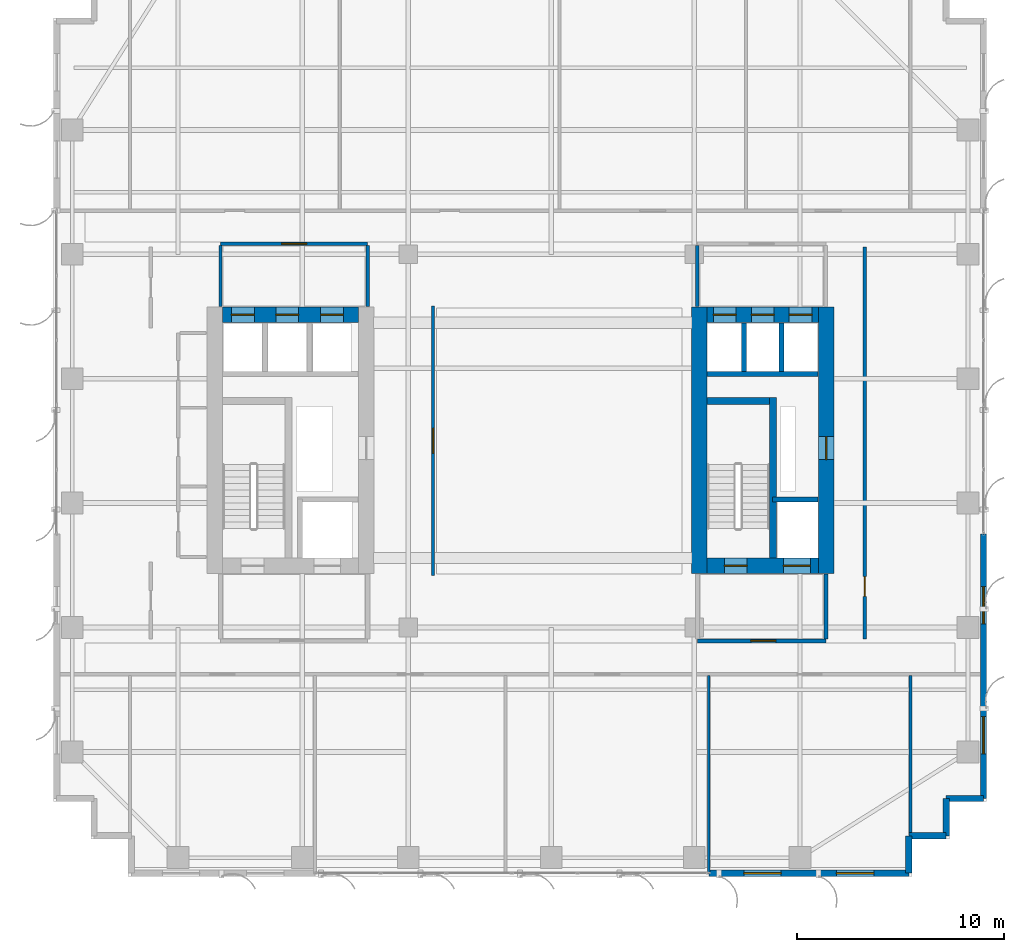
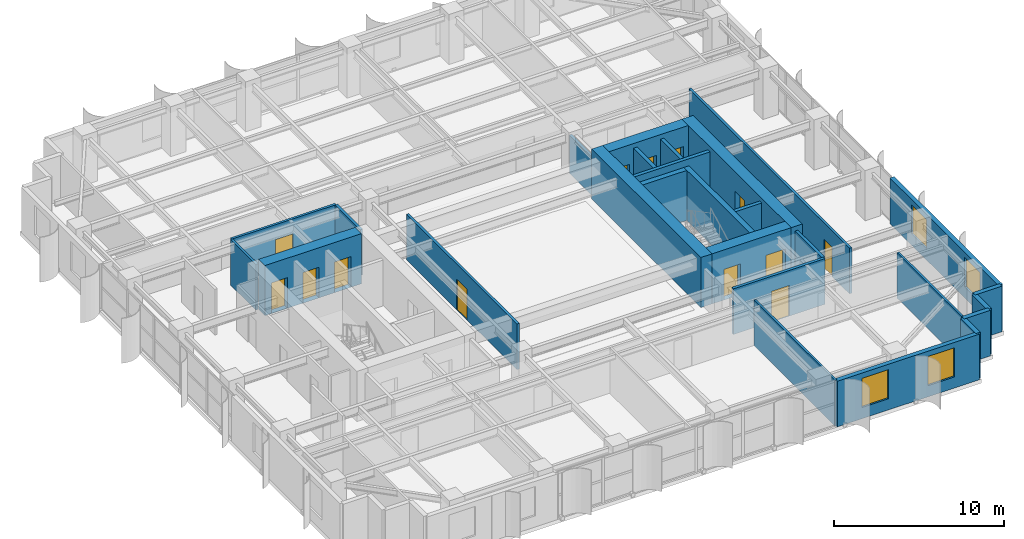
# One storey, part 23 of 28: 27 walls, 13 doors, 4 windows, 17 openings.
"""IFC4 building model written with IfcOpenShell, lengths in metres."""

from ifc_helpers import new_model, si_unit, direction, frame, frame_2d, origin, place, context, subcontext, project, spatial, rectangle, extrude, source, transform, mapped, material, layer, layer_set, type_object, element, fill, save


model = new_model("IFC4")

# Units and contexts
model_context = context("Model", 3, precision=1e-05, world=origin(), true_north=direction((0.0, 1.0)))
body_context = subcontext(model_context, "Body", "Model", "MODEL_VIEW")
ifc_project = project(units=[si_unit("LENGTHUNIT", "METRE"), si_unit("AREAUNIT", "SQUARE_METRE"), si_unit("VOLUMEUNIT", "CUBIC_METRE"), si_unit("PLANEANGLEUNIT", "RADIAN"), si_unit("MASSUNIT", "GRAM", prefix="KILO")], contexts=[model_context])

# Site, building, storey
site_placement = place(None, origin())
site = spatial("IfcSite", under=ifc_project, at=site_placement, CompositionType="ELEMENT")
building_placement = place(site_placement, origin())
building = spatial("IfcBuilding", under=site, at=building_placement, Name="Khoralis Quay Care Tower", CompositionType="ELEMENT")
storey_placement = place(building_placement, frame((0.0, 0.0, 144.89990234375)))
storey = spatial("IfcBuildingStorey", under=building, at=storey_placement, Name="L38", CompositionType="ELEMENT", Elevation=144.89990234375)

# Wall, opening, door
ifc_material_1 = material(Name="Gypsum plasterboard on acoustic metal stud")
ifc_layer_1 = layer(ifc_material_1, 0.199951171875)
ifc_layer_set_1 = layer_set([ifc_layer_1], Name="Gypsum plasterboard on acoustic metal stud")
wall_type_1 = type_object("IfcWallType", Name="WL-COMP-200", PredefinedType="PARTITIONING", material=ifc_layer_set_1)
wall_1_placement = place(storey_placement, frame((31.050048828125, 11.35009765625, 0.0), z_axis=(0.0, 0.0, 1.0), x_axis=(1.0, 0.0, 0.0)))
wall_1 = element("IfcWall", 1, at=wall_1_placement, inside=storey, type_object=wall_type_1, Name="L38 East Firefighting Lobby South Wall", PredefinedType="PARTITIONING", context=body_context, shape_type="SweptSolid", body=[
    extrude(rectangle(XDim=6.199951171875, YDim=0.199951171875, at=frame_2d((3.10009765625, 0.0))), origin(), (0.0, 0.0, 1.0), 3.280029296875),
])
opening_1_placement = place(wall_1_placement, frame((2.585693359375, 0.0, 0.0)))
opening_1 = element("IfcOpeningElement", 2, at=opening_1_placement, cuts=wall_1, Name="Opening FD1", PredefinedType="OPENING", context=body_context, shape_type="SweptSolid", body=[
    extrude(rectangle(XDim=1.199951171875, YDim=2.199951171875, at=frame_2d((0.60009765625, 1.10009765625))), frame((0.0, 0.10986328125, 0.0), z_axis=(0.0, -1.0, 0.0), x_axis=(1.0, 0.0, 0.0)), (0.0, 0.0, 1.0), 0.219970703125),
])
ifc_material_2 = material(Name="Fire-rated painted steel", Category="steel")
door_type_1 = type_object("IfcDoorType", Name="DR-FFL-1200X2200", OperationType="NOTDEFINED", PredefinedType="DOOR", material=ifc_material_2)
shared_shape_1 = source(origin(), body_context, "Body", "SweptSolid", [
    extrude(rectangle(XDim=1.199951171875, YDim=2.199951171875, at=frame_2d((0.60009765625, 1.10009765625))), frame((0.0, 0.02490234375, 0.0), z_axis=(0.0, -1.0, 0.0), x_axis=(1.0, 0.0, 0.0)), (0.0, 0.0, 1.0), 0.050048828125),
])
door_1_placement = place(opening_1_placement, origin())
door_1 = element("IfcDoor", 3, at=door_1_placement, inside=storey, type_object=door_type_1, Name="L38 East Firefighting Lobby Fire Door", OperationType="SINGLE_SWING_LEFT", OverallHeight=2.199951171875, OverallWidth=1.199951171875, PredefinedType="DOOR", context=body_context, shape_type="MappedRepresentation", body=[
    mapped(shared_shape_1, transform((0.0, 0.0, 0.0), scale=1.0)),
])
fill(opening_1, door_1)

# Wall
wall_2_placement = place(storey_placement, frame((37.25, 11.445068359375, 0.0), z_axis=(0.0, 0.0, 1.0), x_axis=(0.0, 1.0, 0.0)))
element("IfcWall", 4, at=wall_2_placement, inside=storey, type_object=wall_type_1, Name="L38 East Firefighting Lobby East Wall", PredefinedType="PARTITIONING", context=body_context, shape_type="SweptSolid", body=[
    extrude(rectangle(XDim=3.135009765625, YDim=0.199951171875, at=frame_2d((1.5673828125, 0.0))), origin(), (0.0, 0.0, 1.0), 3.280029296875),
])

# Wall, openings, doors
ifc_material_3 = material(Name="Concrete C80/95", Category="concrete")
ifc_layer_2 = layer(ifc_material_3, 0.75)
ifc_layer_set_2 = layer_set([ifc_layer_2], Name="Concrete C80/95")
wall_type_2 = type_object("IfcWallType", Name="WL-CORE-750", PredefinedType="SHEAR", material=ifc_layer_set_2)
wall_3_placement = place(storey_placement, frame((8.14990234375, 27.074951171875, 0.0), z_axis=(0.0, 0.0, 1.0), x_axis=(1.0, 0.0, 0.0)))
wall_3 = element("IfcWall", 5, at=wall_3_placement, inside=storey, type_object=wall_type_2, Name="L38 WCORE North Shear Wall", PredefinedType="SHEAR", context=body_context, shape_type="SweptSolid", body=[
    extrude(rectangle(XDim=6.550048828125, YDim=0.75, at=frame_2d((3.27490234375, 0.0))), origin(), (0.0, 0.0, 1.0), 3.60009765625),
])
opening_2_placement = place(wall_3_placement, frame((0.429931640625, 0.0, 0.0)))
opening_2 = element("IfcOpeningElement", 6, at=opening_2_placement, cuts=wall_3, Name="Opening LD1", PredefinedType="OPENING", context=body_context, shape_type="SweptSolid", body=[
    extrude(rectangle(XDim=1.10009765625, YDim=2.199951171875, at=frame_2d((0.550048828125, 1.10009765625))), frame((0.0, 0.385009765625, 0.0), z_axis=(0.0, -1.0, 0.0), x_axis=(1.0, 0.0, 0.0)), (0.0, 0.0, 1.0), 0.77001953125),
])
opening_3_placement = place(wall_3_placement, frame((2.570068359375, 0.0, 0.0)))
opening_3 = element("IfcOpeningElement", 7, at=opening_3_placement, cuts=wall_3, Name="Opening LD1", PredefinedType="OPENING", context=body_context, shape_type="SweptSolid", body=[
    extrude(rectangle(XDim=1.10009765625, YDim=2.199951171875, at=frame_2d((0.550048828125, 1.10009765625))), frame((0.0, 0.385009765625, 0.0), z_axis=(0.0, -1.0, 0.0), x_axis=(1.0, 0.0, 0.0)), (0.0, 0.0, 1.0), 0.77001953125),
])
opening_4_placement = place(wall_3_placement, frame((4.72998046875, 0.0, 0.0)))
opening_4 = element("IfcOpeningElement", 8, at=opening_4_placement, cuts=wall_3, Name="Opening LD1", PredefinedType="OPENING", context=body_context, shape_type="SweptSolid", body=[
    extrude(rectangle(XDim=1.10009765625, YDim=2.199951171875, at=frame_2d((0.550048828125, 1.10009765625))), frame((0.0, 0.385009765625, 0.0), z_axis=(0.0, -1.0, 0.0), x_axis=(1.0, 0.0, 0.0)), (0.0, 0.0, 1.0), 0.77001953125),
])
ifc_material_4 = material(Name="Brushed stainless steel", Category="steel")
door_type_2 = type_object("IfcDoorType", Name="DR-LIFT-1100X2200", OperationType="SLIDING_TO_LEFT", PredefinedType="DOOR", material=ifc_material_4)
shared_shape_2 = source(origin(), body_context, "Body", "SweptSolid", [
    extrude(rectangle(XDim=1.10009765625, YDim=2.199951171875, at=frame_2d((0.550048828125, 1.10009765625))), frame((0.0, 0.02490234375, 0.0), z_axis=(0.0, -1.0, 0.0), x_axis=(1.0, 0.0, 0.0)), (0.0, 0.0, 1.0), 0.050048828125),
])
door_2_placement = place(opening_2_placement, origin())
door_2 = element("IfcDoor", 9, at=door_2_placement, inside=storey, type_object=door_type_2, Name="L38 Lift PLL1 Landing Door", OperationType="SLIDING_TO_LEFT", OverallHeight=2.199951171875, OverallWidth=1.10009765625, PredefinedType="DOOR", context=body_context, shape_type="MappedRepresentation", body=[
    mapped(shared_shape_2, transform((0.0, 0.0, 0.0), scale=1.0)),
])
fill(opening_2, door_2)
door_3_placement = place(opening_3_placement, origin())
door_3 = element("IfcDoor", 10, at=door_3_placement, inside=storey, type_object=door_type_2, Name="L38 Lift PLM1 Landing Door", OperationType="SLIDING_TO_LEFT", OverallHeight=2.199951171875, OverallWidth=1.10009765625, PredefinedType="DOOR", context=body_context, shape_type="MappedRepresentation", body=[
    mapped(shared_shape_2, transform((0.0, 0.0, 0.0), scale=1.0)),
])
fill(opening_3, door_3)
door_4_placement = place(opening_4_placement, origin())
door_4 = element("IfcDoor", 11, at=door_4_placement, inside=storey, type_object=door_type_2, Name="L38 Lift PLH1 Landing Door", OperationType="SLIDING_TO_LEFT", OverallHeight=2.199951171875, OverallWidth=1.10009765625, PredefinedType="DOOR", context=body_context, shape_type="MappedRepresentation", body=[
    mapped(shared_shape_2, transform((0.0, 0.0, 0.0), scale=1.0)),
])
fill(opening_4, door_4)

# Wall
wall_4_placement = place(storey_placement, frame((31.14501953125, 14.60009765625, 0.0), z_axis=(0.0, 0.0, 1.0), x_axis=(0.0, 1.0, 0.0)))
element("IfcWall", 12, at=wall_4_placement, inside=storey, type_object=wall_type_2, Name="L38 ECORE West Shear Wall", PredefinedType="SHEAR", context=body_context, shape_type="SweptSolid", body=[
    extrude(rectangle(XDim=12.849853515625, YDim=0.75, at=frame_2d((6.4248046875, 0.0))), origin(), (0.0, 0.0, 1.0), 3.60009765625),
])

# Wall, opening, door
wall_5_placement = place(storey_placement, frame((37.27490234375, 14.60009765625, 0.0), z_axis=(0.0, 0.0, 1.0), x_axis=(0.0, 1.0, 0.0)))
wall_5 = element("IfcWall", 13, at=wall_5_placement, inside=storey, type_object=wall_type_2, Name="L38 ECORE East Shear Wall", PredefinedType="SHEAR", context=body_context, shape_type="SweptSolid", body=[
    extrude(rectangle(XDim=12.849853515625, YDim=0.75, at=frame_2d((6.4248046875, 0.0))), origin(), (0.0, 0.0, 1.0), 3.60009765625),
])
opening_5_placement = place(wall_5_placement, frame((5.5, 0.0, 0.0)))
opening_5 = element("IfcOpeningElement", 14, at=opening_5_placement, cuts=wall_5, Name="Opening SD1", PredefinedType="OPENING", context=body_context, shape_type="SweptSolid", body=[
    extrude(rectangle(XDim=1.10009765625, YDim=2.199951171875, at=frame_2d((0.550048828125, 1.10009765625))), frame((0.0, 0.385009765625, 0.0), z_axis=(0.0, -1.0, 0.0), x_axis=(1.0, 0.0, 0.0)), (0.0, 0.0, 1.0), 0.77001953125),
])
door_type_3 = type_object("IfcDoorType", Name="DR-STAIR-1100X2200", OperationType="NOTDEFINED", PredefinedType="DOOR", material=ifc_material_2)
shared_shape_3 = source(origin(), body_context, "Body", "SweptSolid", [
    extrude(rectangle(XDim=1.10009765625, YDim=2.199951171875, at=frame_2d((0.550048828125, 1.10009765625))), frame((0.0, 0.02490234375, 0.0), z_axis=(0.0, -1.0, 0.0), x_axis=(1.0, 0.0, 0.0)), (0.0, 0.0, 1.0), 0.050048828125),
])
door_5_placement = place(opening_5_placement, frame((1.10009765625, 0.0, 0.0), z_axis=(0.0, 0.0, 1.0), x_axis=(-1.0, 0.0, 0.0)))
door_5 = element("IfcDoor", 15, at=door_5_placement, inside=storey, type_object=door_type_3, Name="L38 East MEP Riser Door", OperationType="SINGLE_SWING_LEFT", OverallHeight=2.199951171875, OverallWidth=1.10009765625, PredefinedType="DOOR", context=body_context, shape_type="MappedRepresentation", body=[
    mapped(shared_shape_3, transform((0.0, 0.0, 0.0), scale=1.0)),
])
fill(opening_5, door_5)

# Wall, openings, doors
wall_6_placement = place(storey_placement, frame((31.52001953125, 14.97509765625, 0.0), z_axis=(0.0, 0.0, 1.0), x_axis=(1.0, 0.0, 0.0)))
wall_6 = element("IfcWall", 16, at=wall_6_placement, inside=storey, type_object=wall_type_2, Name="L38 ECORE South Shear Wall", PredefinedType="SHEAR", context=body_context, shape_type="SweptSolid", body=[
    extrude(rectangle(XDim=5.3798828125, YDim=0.75, at=frame_2d((2.68994140625, 0.0))), origin(), (0.0, 0.0, 1.0), 3.60009765625),
])
opening_6_placement = place(wall_6_placement, frame((0.830078125, 0.0, 0.0)))
opening_6 = element("IfcOpeningElement", 17, at=opening_6_placement, cuts=wall_6, Name="Opening SD1", PredefinedType="OPENING", context=body_context, shape_type="SweptSolid", body=[
    extrude(rectangle(XDim=1.10009765625, YDim=2.199951171875, at=frame_2d((0.550048828125, 1.10009765625))), frame((0.0, 0.385009765625, 0.0), z_axis=(0.0, -1.0, 0.0), x_axis=(1.0, 0.0, 0.0)), (0.0, 0.0, 1.0), 0.77001953125),
])
opening_7_placement = place(wall_6_placement, frame((3.679931640625, 0.0, 0.0)))
opening_7 = element("IfcOpeningElement", 18, at=opening_7_placement, cuts=wall_6, Name="Opening LD2", PredefinedType="OPENING", context=body_context, shape_type="SweptSolid", body=[
    extrude(rectangle(XDim=1.300048828125, YDim=2.199951171875, at=frame_2d((0.64990234375, 1.10009765625))), frame((0.0, 0.385009765625, 0.0), z_axis=(0.0, -1.0, 0.0), x_axis=(1.0, 0.0, 0.0)), (0.0, 0.0, 1.0), 0.77001953125),
])
door_6_placement = place(opening_6_placement, origin())
door_6 = element("IfcDoor", 19, at=door_6_placement, inside=storey, type_object=door_type_3, Name="L38 Stair ST-T2 Fire Door", OperationType="SINGLE_SWING_LEFT", OverallHeight=2.199951171875, OverallWidth=1.10009765625, PredefinedType="DOOR", context=body_context, shape_type="MappedRepresentation", body=[
    mapped(shared_shape_3, transform((0.0, 0.0, 0.0), scale=1.0)),
])
fill(opening_6, door_6)
door_type_4 = type_object("IfcDoorType", Name="DR-LIFT-1300X2200", OperationType="SLIDING_TO_RIGHT", PredefinedType="DOOR", material=ifc_material_4)
shared_shape_4 = source(origin(), body_context, "Body", "SweptSolid", [
    extrude(rectangle(XDim=1.300048828125, YDim=2.199951171875, at=frame_2d((0.64990234375, 1.10009765625))), frame((0.0, 0.02490234375, 0.0), z_axis=(0.0, -1.0, 0.0), x_axis=(1.0, 0.0, 0.0)), (0.0, 0.0, 1.0), 0.050048828125),
])
door_7_placement = place(opening_7_placement, origin())
door_7 = element("IfcDoor", 20, at=door_7_placement, inside=storey, type_object=door_type_4, Name="L38 Firefighting Lift FFL-2 Landing Door", OperationType="SLIDING_TO_RIGHT", OverallHeight=2.199951171875, OverallWidth=1.300048828125, PredefinedType="DOOR", context=body_context, shape_type="MappedRepresentation", body=[
    mapped(shared_shape_4, transform((0.0, 0.0, 0.0), scale=1.0)),
])
fill(opening_7, door_7)

wall_7_placement = place(storey_placement, frame((31.52001953125, 27.074951171875, 0.0), z_axis=(0.0, 0.0, 1.0), x_axis=(1.0, 0.0, 0.0)))
wall_7 = element("IfcWall", 21, at=wall_7_placement, inside=storey, type_object=wall_type_2, Name="L38 ECORE North Shear Wall", PredefinedType="SHEAR", context=body_context, shape_type="SweptSolid", body=[
    extrude(rectangle(XDim=5.3798828125, YDim=0.75, at=frame_2d((2.68994140625, 0.0))), origin(), (0.0, 0.0, 1.0), 3.60009765625),
])
opening_8_placement = place(wall_7_placement, frame((0.300048828125, 0.0, 0.0)))
opening_8 = element("IfcOpeningElement", 22, at=opening_8_placement, cuts=wall_7, Name="Opening LD1", PredefinedType="OPENING", context=body_context, shape_type="SweptSolid", body=[
    extrude(rectangle(XDim=1.10009765625, YDim=2.199951171875, at=frame_2d((0.550048828125, 1.10009765625))), frame((0.0, 0.385009765625, 0.0), z_axis=(0.0, -1.0, 0.0), x_axis=(1.0, 0.0, 0.0)), (0.0, 0.0, 1.0), 0.77001953125),
])
opening_9_placement = place(wall_7_placement, frame((2.1298828125, 0.0, 0.0)))
opening_9 = element("IfcOpeningElement", 23, at=opening_9_placement, cuts=wall_7, Name="Opening LD1", PredefinedType="OPENING", context=body_context, shape_type="SweptSolid", body=[
    extrude(rectangle(XDim=1.10009765625, YDim=2.199951171875, at=frame_2d((0.550048828125, 1.10009765625))), frame((0.0, 0.385009765625, 0.0), z_axis=(0.0, -1.0, 0.0), x_axis=(1.0, 0.0, 0.0)), (0.0, 0.0, 1.0), 0.77001953125),
])
opening_10_placement = place(wall_7_placement, frame((3.9599609375, 0.0, 0.0)))
opening_10 = element("IfcOpeningElement", 24, at=opening_10_placement, cuts=wall_7, Name="Opening LD1", PredefinedType="OPENING", context=body_context, shape_type="SweptSolid", body=[
    extrude(rectangle(XDim=1.10009765625, YDim=2.199951171875, at=frame_2d((0.550048828125, 1.10009765625))), frame((0.0, 0.385009765625, 0.0), z_axis=(0.0, -1.0, 0.0), x_axis=(1.0, 0.0, 0.0)), (0.0, 0.0, 1.0), 0.77001953125),
])
door_8_placement = place(opening_8_placement, origin())
door_8 = element("IfcDoor", 25, at=door_8_placement, inside=storey, type_object=door_type_2, Name="L38 Lift PLL2 Landing Door", OperationType="SLIDING_TO_LEFT", OverallHeight=2.199951171875, OverallWidth=1.10009765625, PredefinedType="DOOR", context=body_context, shape_type="MappedRepresentation", body=[
    mapped(shared_shape_2, transform((0.0, 0.0, 0.0), scale=1.0)),
])
fill(opening_8, door_8)
door_9_placement = place(opening_9_placement, origin())
door_9 = element("IfcDoor", 26, at=door_9_placement, inside=storey, type_object=door_type_2, Name="L38 Lift PLM2 Landing Door", OperationType="SLIDING_TO_LEFT", OverallHeight=2.199951171875, OverallWidth=1.10009765625, PredefinedType="DOOR", context=body_context, shape_type="MappedRepresentation", body=[
    mapped(shared_shape_2, transform((0.0, 0.0, 0.0), scale=1.0)),
])
fill(opening_9, door_9)
door_10_placement = place(opening_10_placement, origin())
door_10 = element("IfcDoor", 27, at=door_10_placement, inside=storey, type_object=door_type_2, Name="L38 Lift PLH2 Landing Door", OperationType="SLIDING_TO_LEFT", OverallHeight=2.199951171875, OverallWidth=1.10009765625, PredefinedType="DOOR", context=body_context, shape_type="MappedRepresentation", body=[
    mapped(shared_shape_2, transform((0.0, 0.0, 0.0), scale=1.0)),
])
fill(opening_10, door_10)

# Wall, opening, door
ifc_layer_3 = layer(ifc_material_1, 0.1650390625)
ifc_layer_set_3 = layer_set([ifc_layer_3], Name="Gypsum plasterboard on acoustic metal stud")
wall_type_3 = type_object("IfcWallType", Name="WL-CORR-165", PredefinedType="PARTITIONING", material=ifc_layer_set_3)
wall_8_placement = place(storey_placement, frame((8.050048828125, 30.5, 0.0), z_axis=(0.0, 0.0, 1.0), x_axis=(1.0, 0.0, 0.0)))
wall_8 = element("IfcWall", 28, at=wall_8_placement, inside=storey, type_object=wall_type_3, Name="L38 West Lift Lobby North Wall", PredefinedType="PARTITIONING", context=body_context, shape_type="SweptSolid", body=[
    extrude(rectangle(XDim=7.099853515625, YDim=0.1650390625, at=frame_2d((3.5498046875, 0.0))), origin(), (0.0, 0.0, 1.0), 3.280029296875),
])
opening_11_placement = place(wall_8_placement, frame((2.949951171875, 0.0, 0.0)))
opening_11 = element("IfcOpeningElement", 29, at=opening_11_placement, cuts=wall_8, Name="Opening FD1", PredefinedType="OPENING", context=body_context, shape_type="SweptSolid", body=[
    extrude(rectangle(XDim=1.199951171875, YDim=2.199951171875, at=frame_2d((0.60009765625, 1.10009765625))), frame((0.0, 0.092529296875, 0.0), z_axis=(0.0, -1.0, 0.0), x_axis=(1.0, 0.0, 0.0)), (0.0, 0.0, 1.0), 0.18505859375),
])
door_11_placement = place(opening_11_placement, origin())
door_11 = element("IfcDoor", 30, at=door_11_placement, inside=storey, type_object=door_type_1, Name="L38 West Lift Lobby Double Door", OperationType="DOUBLE_DOOR_SINGLE_SWING", OverallHeight=2.199951171875, OverallWidth=1.199951171875, PredefinedType="DOOR", context=body_context, shape_type="MappedRepresentation", body=[
    mapped(shared_shape_1, transform((0.0, 0.0, 0.0), scale=1.0)),
])
fill(opening_11, door_11)

# Walls
for number, where, z_axis, x_axis, name in (
    (31, (8.050048828125, 27.469970703125, 0.0), (0.0, 0.0, 1.0), (0.0, 1.0, 0.0), "L38 West Lift Lobby West Wall"),
    (32, (15.14990234375, 27.469970703125, 0.0), (0.0, 0.0, 1.0), (0.0, 1.0, 0.0), "L38 West Lift Lobby East Wall"),
):
    element("IfcWall", number, at=place(storey_placement, frame(where, z_axis=z_axis, x_axis=x_axis)), inside=storey, type_object=wall_type_3, Name=name, PredefinedType="PARTITIONING", context=body_context, shape_type="SweptSolid", body=[
        extrude(rectangle(XDim=2.95263671875, YDim=0.1650390625, at=frame_2d((1.476318359375, 0.0))), origin(), (0.0, 0.0, 1.0), 3.280029296875),
    ])
wall_9_placement = place(storey_placement, frame((31.050048828125, 27.469970703125, 0.0), z_axis=(0.0, 0.0, 1.0), x_axis=(0.0, 1.0, 0.0)))
element("IfcWall", 33, at=wall_9_placement, inside=storey, type_object=wall_type_3, Name="L38 East Lift Lobby West Wall", PredefinedType="PARTITIONING", context=body_context, shape_type="SweptSolid", body=[
    extrude(rectangle(XDim=2.95263671875, YDim=0.1650390625, at=frame_2d((1.476318359375, 0.0))), origin(), (0.0, 0.0, 1.0), 2.736083984375),
])

# Wall, opening, door
wall_10_placement = place(storey_placement, frame((39.1201171875, 11.449951171875, 0.0), z_axis=(0.0, 0.0, 1.0), x_axis=(0.0, 1.0, 0.0)))
wall_10 = element("IfcWall", 34, at=wall_10_placement, inside=storey, type_object=wall_type_3, Name="L38 East Sky Clinic Wall", PredefinedType="PARTITIONING", context=body_context, shape_type="SweptSolid", body=[
    extrude(rectangle(XDim=18.900146484375, YDim=0.1650390625, at=frame_2d((9.4501953125, 0.0))), origin(), (0.0, 0.0, 1.0), 3.280029296875),
])
opening_12_placement = place(wall_10_placement, frame((2.050048828125, 0.0, 0.0)))
opening_12 = element("IfcOpeningElement", 35, at=opening_12_placement, cuts=wall_10, Name="Opening ID1", PredefinedType="OPENING", context=body_context, shape_type="SweptSolid", body=[
    extrude(rectangle(XDim=0.949951171875, YDim=2.10009765625, at=frame_2d((0.47509765625, 1.050048828125))), frame((0.0, 0.092529296875, 0.0), z_axis=(0.0, -1.0, 0.0), x_axis=(1.0, 0.0, 0.0)), (0.0, 0.0, 1.0), 0.18505859375),
])
ifc_material_5 = material(Name="Acoustic hardwood timber", Category="wood")
door_type_5 = type_object("IfcDoorType", Name="DR-ROOM-950X2100", OperationType="NOTDEFINED", PredefinedType="DOOR", material=ifc_material_5)
shared_shape_5 = source(origin(), body_context, "Body", "SweptSolid", [
    extrude(rectangle(XDim=0.949951171875, YDim=2.10009765625, at=frame_2d((0.47509765625, 1.050048828125))), frame((0.0, 0.02490234375, 0.0), z_axis=(0.0, -1.0, 0.0), x_axis=(1.0, 0.0, 0.0)), (0.0, 0.0, 1.0), 0.050048828125),
])
door_12_placement = place(opening_12_placement, origin())
door_12 = element("IfcDoor", 36, at=door_12_placement, inside=storey, type_object=door_type_5, Name="L38 East Sky Clinic Door", OperationType="SINGLE_SWING_RIGHT", OverallHeight=2.10009765625, OverallWidth=0.949951171875, PredefinedType="DOOR", context=body_context, shape_type="MappedRepresentation", body=[
    mapped(shared_shape_5, transform((0.0, 0.0, 0.0), scale=1.0)),
])
fill(opening_12, door_12)

wall_11_placement = place(storey_placement, frame((18.300048828125, 14.5, 0.0), z_axis=(0.0, 0.0, 1.0), x_axis=(0.0, 1.0, 0.0)))
wall_11 = element("IfcWall", 37, at=wall_11_placement, inside=storey, type_object=wall_type_3, Name="L38 Sky Lounge Central Wall", PredefinedType="PARTITIONING", context=body_context, shape_type="SweptSolid", body=[
    extrude(rectangle(XDim=13.0, YDim=0.1650390625, at=frame_2d((6.5, 0.0))), origin(), (0.0, 0.0, 1.0), 3.280029296875),
])
opening_13_placement = place(wall_11_placement, frame((5.89990234375, 0.0, 0.0)))
opening_13 = element("IfcOpeningElement", 38, at=opening_13_placement, cuts=wall_11, Name="Opening FD1", PredefinedType="OPENING", context=body_context, shape_type="SweptSolid", body=[
    extrude(rectangle(XDim=1.199951171875, YDim=2.199951171875, at=frame_2d((0.60009765625, 1.10009765625))), frame((0.0, 0.092529296875, 0.0), z_axis=(0.0, -1.0, 0.0), x_axis=(1.0, 0.0, 0.0)), (0.0, 0.0, 1.0), 0.18505859375),
])
door_13_placement = place(opening_13_placement, origin())
door_13 = element("IfcDoor", 39, at=door_13_placement, inside=storey, type_object=door_type_1, Name="L38 Sky Dining Door", OperationType="DOUBLE_DOOR_SINGLE_SWING", OverallHeight=2.199951171875, OverallWidth=1.199951171875, PredefinedType="DOOR", context=body_context, shape_type="MappedRepresentation", body=[
    mapped(shared_shape_1, transform((0.0, 0.0, 0.0), scale=1.0)),
])
fill(opening_13, door_13)

# Wall, openings, windows
ifc_material_6 = material(Name="Precast concrete C45/55", Category="concrete")
ifc_layer_4 = layer(ifc_material_6, 0.300048828125)
ifc_layer_set_4 = layer_set([ifc_layer_4], Name="Precast concrete C45/55")
wall_type_4 = type_object("IfcWallType", Name="WL-EXT-REF-300", PredefinedType="SOLIDWALL", material=ifc_layer_set_4)
wall_12_placement = place(storey_placement, frame((31.60009765625, 0.14990234375, 0.0), z_axis=(0.0, 0.0, 1.0), x_axis=(1.0, 0.0, 0.0)))
wall_12 = element("IfcWall", 40, at=wall_12_placement, inside=storey, type_object=wall_type_4, Name="L38 External Facade Wall WL-EXT-L38-P1-E0B", PredefinedType="SOLIDWALL", context=body_context, shape_type="SweptSolid", body=[
    extrude(rectangle(XDim=9.64990234375, YDim=0.300048828125, at=frame_2d((4.824951171875, 0.0))), origin(), (0.0, 0.0, 1.0), 3.280029296875),
])
opening_14_placement = place(wall_12_placement, frame((1.6923828125, 0.0, 0.800048828125)))
opening_14 = element("IfcOpeningElement", 41, at=opening_14_placement, cuts=wall_12, Name="Opening W2", PredefinedType="OPENING", context=body_context, shape_type="SweptSolid", body=[
    extrude(rectangle(XDim=1.800048828125, YDim=2.10009765625, at=frame_2d((0.89990234375, 1.050048828125))), frame((0.0, 0.16015625, 0.0), z_axis=(0.0, -1.0, 0.0), x_axis=(1.0, 0.0, 0.0)), (0.0, 0.0, 1.0), 0.320068359375),
])
opening_15_placement = place(wall_12_placement, frame((6.157470703125, 0.0, 0.800048828125)))
opening_15 = element("IfcOpeningElement", 42, at=opening_15_placement, cuts=wall_12, Name="Opening W2", PredefinedType="OPENING", context=body_context, shape_type="SweptSolid", body=[
    extrude(rectangle(XDim=1.800048828125, YDim=2.10009765625, at=frame_2d((0.89990234375, 1.050048828125))), frame((0.0, 0.16015625, 0.0), z_axis=(0.0, -1.0, 0.0), x_axis=(1.0, 0.0, 0.0)), (0.0, 0.0, 1.0), 0.320068359375),
])
ifc_material_7 = material(Name="Low-E solar-control double glazing", Category="glass")
window_type = type_object("IfcWindowType", Name="WN-POD-1800X2100", PartitioningType="SINGLE_PANEL", PredefinedType="WINDOW", material=ifc_material_7)
shared_shape_6 = source(origin(), body_context, "Body", "SweptSolid", [
    extrude(rectangle(XDim=1.800048828125, YDim=2.10009765625, at=frame_2d((0.89990234375, 1.050048828125))), frame((0.0, 0.030029296875, 0.0), z_axis=(0.0, -1.0, 0.0), x_axis=(1.0, 0.0, 0.0)), (0.0, 0.0, 1.0), 0.06005859375),
])
window_1_placement = place(opening_14_placement, origin())
window_1 = element("IfcWindow", 43, at=window_1_placement, inside=storey, type_object=window_type, Name="WN-L38-P1-E0B Facade Window 01", OverallHeight=2.10009765625, OverallWidth=1.800048828125, PartitioningType="SINGLE_PANEL", PredefinedType="WINDOW", context=body_context, shape_type="MappedRepresentation", body=[
    mapped(shared_shape_6, transform((0.0, 0.0, 0.0), scale=1.0)),
])
fill(opening_14, window_1)
window_2_placement = place(opening_15_placement, origin())
window_2 = element("IfcWindow", 44, at=window_2_placement, inside=storey, type_object=window_type, Name="WN-L38-P1-E0B Facade Window 02", OverallHeight=2.10009765625, OverallWidth=1.800048828125, PartitioningType="SINGLE_PANEL", PredefinedType="WINDOW", context=body_context, shape_type="MappedRepresentation", body=[
    mapped(shared_shape_6, transform((0.0, 0.0, 0.0), scale=1.0)),
])
fill(opening_15, window_2)

# Walls
for number, where, z_axis, x_axis, name in (
    (45, (41.25, 0.14990234375, 0.0), (0.0, 0.0, 1.0), (0.0, 1.0, 0.0), "L38 External Facade Wall WL-EXT-L38-P1-C1"),
    (46, (41.25, 1.949951171875, 0.0), (0.0, 0.0, 1.0), (1.0, 0.0, 0.0), "L38 External Facade Wall WL-EXT-L38-P1-C2"),
    (47, (43.050048828125, 1.949951171875, 0.0), (0.0, 0.0, 1.0), (0.0, 1.0, 0.0), "L38 External Facade Wall WL-EXT-L38-P1-C3"),
    (48, (43.050048828125, 3.75, 0.0), (0.0, 0.0, 1.0), (1.0, 0.0, 0.0), "L38 External Facade Wall WL-EXT-L38-P1-C4"),
):
    element("IfcWall", number, at=place(storey_placement, frame(where, z_axis=z_axis, x_axis=x_axis)), inside=storey, type_object=wall_type_4, Name=name, PredefinedType="SOLIDWALL", context=body_context, shape_type="SweptSolid", body=[
        extrude(rectangle(XDim=1.800048828125, YDim=0.300048828125, at=frame_2d((0.89990234375, 0.0))), origin(), (0.0, 0.0, 1.0), 3.280029296875),
    ])

# Wall, openings, windows
wall_13_placement = place(storey_placement, frame((44.85009765625, 3.75, 0.0), z_axis=(0.0, 0.0, 1.0), x_axis=(0.0, 1.0, 0.0)))
wall_13 = element("IfcWall", 49, at=wall_13_placement, inside=storey, type_object=wall_type_4, Name="L38 External Facade Wall WL-EXT-L38-P1-E5A", PredefinedType="SOLIDWALL", context=body_context, shape_type="SweptSolid", body=[
    extrude(rectangle(XDim=12.75, YDim=0.300048828125, at=frame_2d((6.375, 0.0))), origin(), (0.0, 0.0, 1.0), 3.280029296875),
])
opening_16_placement = place(wall_13_placement, frame((2.14990234375, 0.0, 0.800048828125)))
opening_16 = element("IfcOpeningElement", 50, at=opening_16_placement, cuts=wall_13, Name="Opening W2", PredefinedType="OPENING", context=body_context, shape_type="SweptSolid", body=[
    extrude(rectangle(XDim=1.800048828125, YDim=2.10009765625, at=frame_2d((0.89990234375, 1.050048828125))), frame((0.0, 0.16015625, 0.0), z_axis=(0.0, -1.0, 0.0), x_axis=(1.0, 0.0, 0.0)), (0.0, 0.0, 1.0), 0.320068359375),
])
opening_17_placement = place(wall_13_placement, frame((8.425048828125, 0.0, 0.800048828125)))
opening_17 = element("IfcOpeningElement", 51, at=opening_17_placement, cuts=wall_13, Name="Opening W2", PredefinedType="OPENING", context=body_context, shape_type="SweptSolid", body=[
    extrude(rectangle(XDim=1.800048828125, YDim=2.10009765625, at=frame_2d((0.89990234375, 1.050048828125))), frame((0.0, 0.16015625, 0.0), z_axis=(0.0, -1.0, 0.0), x_axis=(1.0, 0.0, 0.0)), (0.0, 0.0, 1.0), 0.320068359375),
])
window_3_placement = place(opening_16_placement, origin())
window_3 = element("IfcWindow", 52, at=window_3_placement, inside=storey, type_object=window_type, Name="WN-L38-P1-E5A Facade Window 01", OverallHeight=2.10009765625, OverallWidth=1.800048828125, PartitioningType="SINGLE_PANEL", PredefinedType="WINDOW", context=body_context, shape_type="MappedRepresentation", body=[
    mapped(shared_shape_6, transform((0.0, 0.0, 0.0), scale=1.0)),
])
fill(opening_16, window_3)
window_4_placement = place(opening_17_placement, origin())
window_4 = element("IfcWindow", 53, at=window_4_placement, inside=storey, type_object=window_type, Name="WN-L38-P1-E5A Facade Window 02", OverallHeight=2.10009765625, OverallWidth=1.800048828125, PartitioningType="SINGLE_PANEL", PredefinedType="WINDOW", context=body_context, shape_type="MappedRepresentation", body=[
    mapped(shared_shape_6, transform((0.0, 0.0, 0.0), scale=1.0)),
])
fill(opening_17, window_4)

# Walls
ifc_material_8 = material(Name="Concrete C40/50", Category="concrete")
ifc_layer_5 = layer(ifc_material_8, 0.35009765625)
ifc_layer_set_5 = layer_set([ifc_layer_5], Name="Concrete C40/50")
wall_type_5 = type_object("IfcWallType", Name="WL-SC-CORE-350", PredefinedType="SHEAR", material=ifc_layer_set_5)
wall_14_placement = place(storey_placement, frame((34.695068359375, 15.35009765625, 0.0), z_axis=(0.0, 0.0, 1.0), x_axis=(0.0, 1.0, 0.0)))
element("IfcWall", 54, at=wall_14_placement, inside=storey, type_object=wall_type_5, Name="L38 Stair ST-T2 Shear Baffle Wall East", PredefinedType="SHEAR", context=body_context, shape_type="SweptSolid", body=[
    extrude(rectangle(XDim=7.75, YDim=0.35009765625, at=frame_2d((3.875, 0.0))), origin(), (0.0, 0.0, 1.0), 3.60009765625),
])
wall_15_placement = place(storey_placement, frame((31.52001953125, 22.925048828125, 0.0), z_axis=(0.0, 0.0, 1.0), x_axis=(1.0, 0.0, 0.0)))
element("IfcWall", 55, at=wall_15_placement, inside=storey, type_object=wall_type_5, Name="L38 Stair ST-T2 Shear Baffle Wall North", PredefinedType="SHEAR", context=body_context, shape_type="SweptSolid", body=[
    extrude(rectangle(XDim=3.0, YDim=0.35009765625, at=frame_2d((1.5, 0.0))), origin(), (0.0, 0.0, 1.0), 3.60009765625),
])
ifc_layer_6 = layer(ifc_material_1, 0.239990234375)
ifc_layer_set_6 = layer_set([ifc_layer_6], Name="Gypsum plasterboard on acoustic metal stud")
wall_type_6 = type_object("IfcWallType", Name="WL-SHAFT-240", PredefinedType="PARTITIONING", material=ifc_layer_set_6)
wall_16_placement = place(storey_placement, frame((34.679931640625, 18.169921875, 0.0), z_axis=(0.0, 0.0, 1.0), x_axis=(1.0, 0.0, 0.0)))
element("IfcWall", 56, at=wall_16_placement, inside=storey, type_object=wall_type_6, Name="L38 FFL-2 Shaft Wall North", PredefinedType="PARTITIONING", context=body_context, shape_type="SweptSolid", body=[
    extrude(rectangle(XDim=2.199951171875, YDim=0.239990234375, at=frame_2d((1.10009765625, 0.0))), origin(), (0.0, 0.0, 1.0), 3.280029296875),
])
wall_17_placement = place(storey_placement, frame((31.52001953125, 24.22998046875, 0.0), z_axis=(0.0, 0.0, 1.0), x_axis=(1.0, 0.0, 0.0)))
element("IfcWall", 57, at=wall_17_placement, inside=storey, type_object=wall_type_6, Name="L38 East Passenger Shaft South Wall", PredefinedType="PARTITIONING", context=body_context, shape_type="SweptSolid", body=[
    extrude(rectangle(XDim=5.35986328125, YDim=0.239990234375, at=frame_2d((2.679931640625, 0.0))), origin(), (0.0, 0.0, 1.0), 3.280029296875),
])
for number, where, z_axis, x_axis, name in (
    (58, (33.2900390625, 24.344970703125, 0.0), (0.0, 0.0, 1.0), (0.0, 1.0, 0.0), "L38 East Shaft Divider 1"),
    (59, (35.110107421875, 24.344970703125, 0.0), (0.0, 0.0, 1.0), (0.0, 1.0, 0.0), "L38 East Shaft Divider 2"),
):
    element("IfcWall", number, at=place(storey_placement, frame(where, z_axis=z_axis, x_axis=x_axis)), inside=storey, type_object=wall_type_6, Name=name, PredefinedType="PARTITIONING", context=body_context, shape_type="SweptSolid", body=[
        extrude(rectangle(XDim=2.3349609375, YDim=0.239990234375, at=frame_2d((1.16748046875, 0.0))), origin(), (0.0, 0.0, 1.0), 3.280029296875),
    ])
ifc_layer_7 = layer(ifc_material_1, 0.139892578125)
ifc_layer_set_7 = layer_set([ifc_layer_7], Name="Gypsum plasterboard on acoustic metal stud")
wall_type_7 = type_object("IfcWallType", Name="WL-UNIT-140", PredefinedType="PARTITIONING", material=ifc_layer_set_7)
wall_18_placement = place(storey_placement, frame((31.60009765625, 0.14501953125, 0.0), z_axis=(0.0, 0.0, 1.0), x_axis=(0.0, 1.0, 0.0)))
element("IfcWall", 60, at=wall_18_placement, inside=storey, type_object=wall_type_7, Name="L38 SB Demising Wall 3", PredefinedType="PARTITIONING", context=body_context, shape_type="SweptSolid", body=[
    extrude(rectangle(XDim=9.527587890625, YDim=0.139892578125, at=frame_2d((4.763671875, 0.0))), origin(), (0.0, 0.0, 1.0), 3.280029296875),
])
wall_19_placement = place(storey_placement, frame((41.320068359375, 1.945068359375, 0.0), z_axis=(0.0, 0.0, 1.0), x_axis=(0.0, 1.0, 0.0)))
element("IfcWall", 61, at=wall_19_placement, inside=storey, type_object=wall_type_7, Name="L38 SB Demising Wall 4", PredefinedType="PARTITIONING", context=body_context, shape_type="SweptSolid", body=[
    extrude(rectangle(XDim=7.7275390625, YDim=0.139892578125, at=frame_2d((3.86376953125, 0.0))), origin(), (0.0, 0.0, 1.0), 3.280029296875),
])

save(model, "model.ifc")
